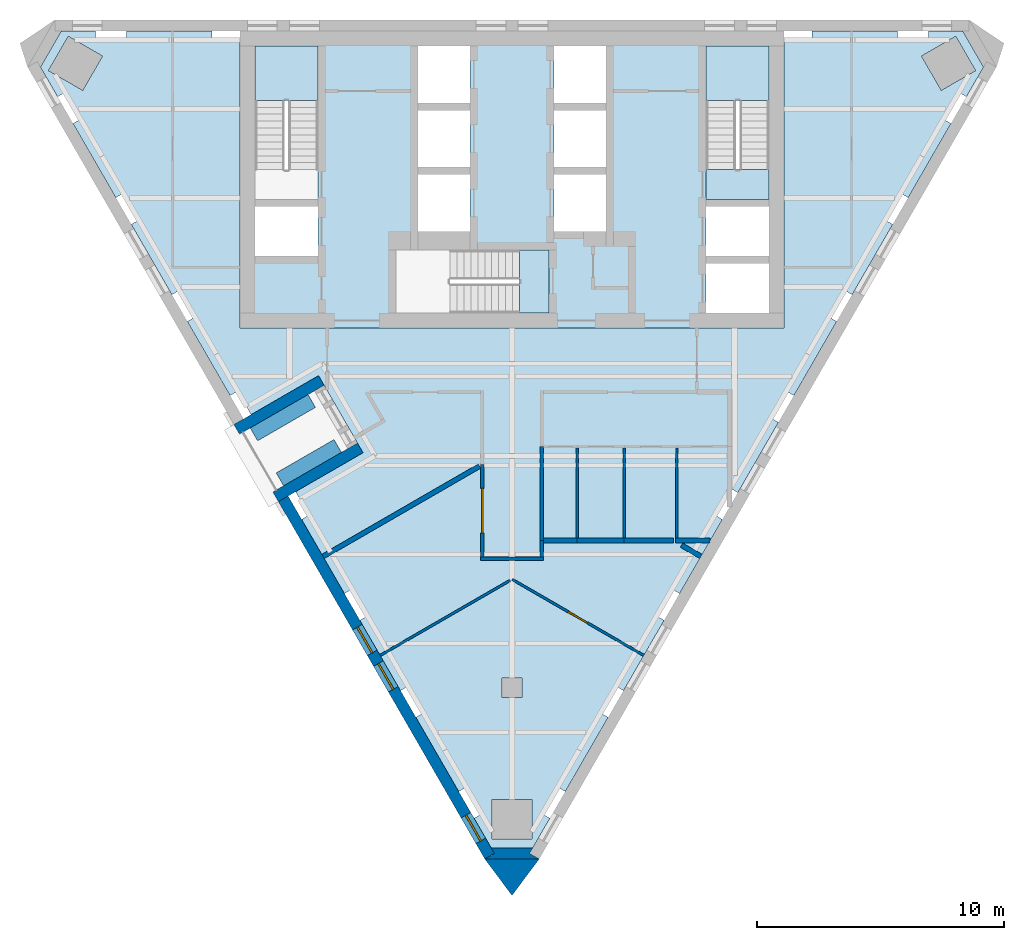
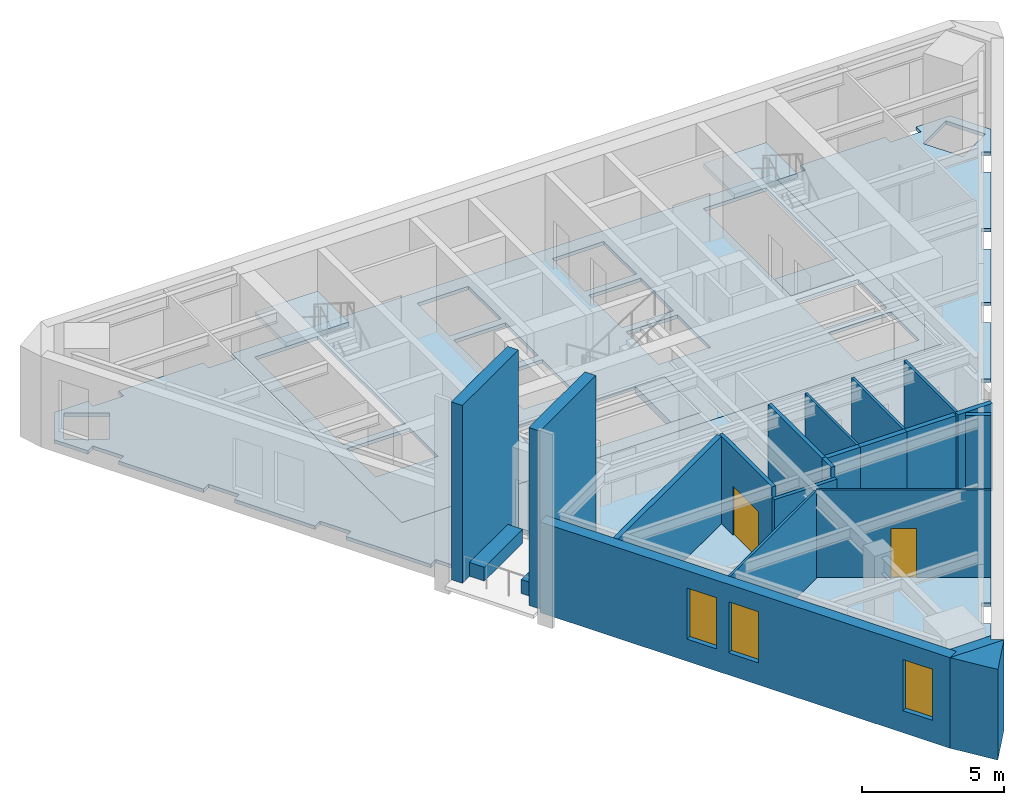
# One storey, part 2 of 7: 22 walls, 6 slabs, 3 windows, 2 doors, 5 openings, 2 elements without a shape of their own.
"""IFC4 building model written with IfcOpenShell, lengths in metres."""

from ifc_helpers import new_model, si_unit, direction, frame, frame_2d, origin, place, context, subcontext, project, spatial, polyline, rectangle, outline, extrude, material, layer, layer_set, type_object, element, fill, aggregate, save


model = new_model("IFC4")

# Units and contexts
model_context = context("Model", 3, precision=1e-05, world=origin(), true_north=direction((0.0, 1.0)))
body_context = subcontext(model_context, "Body", "Model", "MODEL_VIEW")
ifc_project = project(units=[si_unit("LENGTHUNIT", "METRE"), si_unit("AREAUNIT", "SQUARE_METRE"), si_unit("VOLUMEUNIT", "CUBIC_METRE"), si_unit("PLANEANGLEUNIT", "RADIAN"), si_unit("MASSUNIT", "GRAM", prefix="KILO")], contexts=[model_context])

# Site, building, storey
site_placement = place(None, origin())
site = spatial("IfcSite", under=ifc_project, at=site_placement, CompositionType="ELEMENT")
building_placement = place(site_placement, origin())
building = spatial("IfcBuilding", under=site, at=building_placement, Name="Aloe Facet Convention Tower", CompositionType="ELEMENT")
storey_placement = place(building_placement, frame((0.0, 0.0, 258.199951171875)))
storey = spatial("IfcBuildingStorey", under=building, at=storey_placement, Name="L63", CompositionType="ELEMENT", Elevation=258.199951171875)

# Slabs
ifc_material_1 = material(Name="Concrete C50/60", Category="concrete")
ifc_layer_1 = layer(ifc_material_1, 0.14990234375)
ifc_layer_set_1 = layer_set([ifc_layer_1], Name="CR-S-FLOOR150-C5060")
slab_type_1 = type_object("IfcSlabType", Name="CR-S-FLOOR150-C5060", PredefinedType="FLOOR", material=ifc_layer_set_1)
slab_1_placement = place(storey_placement, frame((0.0, 0.0, -0.14990234375)))
element("IfcSlab", 1, at=slab_1_placement, inside=storey, type_object=slab_type_1, Name="Core floor L63", PredefinedType="FLOOR", context=body_context, shape_type="SweptSolid", body=[
    extrude(outline(polyline([(71.85009765625, 134.550048828125), (72.75, 134.550048828125), (75.60009765625, 134.550048828125), (76.5, 134.550048828125), (78.0, 134.550048828125), (78.89990234375, 134.550048828125), (81.10009765625, 134.550048828125), (82.0, 134.550048828125), (83.5, 134.550048828125), (84.39990234375, 134.550048828125), (87.25, 134.550048828125), (88.14990234375, 134.550048828125), (91.0, 134.550048828125), (91.0, 128.050048828125), (91.0, 127.14990234375), (91.0, 125.75), (91.0, 124.85009765625), (91.0, 122.550048828125), (88.14990234375, 122.550048828125), (87.25, 122.550048828125), (85.300048828125, 122.550048828125), (84.39990234375, 122.550048828125), (82.10009765625, 122.550048828125), (81.199951171875, 122.550048828125), (75.60009765625, 122.550048828125), (74.699951171875, 122.550048828125), (72.75, 122.550048828125), (71.85009765625, 122.550048828125), (69.0, 122.550048828125), (69.0, 124.85009765625), (69.0, 125.75), (69.0, 127.14990234375), (69.0, 128.050048828125), (69.0, 134.550048828125), (71.85009765625, 134.550048828125)]), holes=[polyline([(80.298828125, 123.14990234375), (81.5, 123.14990234375), (81.5, 125.699951171875), (80.298828125, 125.699951171875), (75.300048828125, 125.699951171875), (75.300048828125, 123.14990234375), (80.298828125, 123.14990234375)]), polyline([(69.60009765625, 125.449951171875), (72.14990234375, 125.449951171875), (72.14990234375, 127.449951171875), (69.60009765625, 127.449951171875), (69.60009765625, 125.449951171875)]), polyline([(76.199951171875, 126.449951171875), (78.300048828125, 126.449951171875), (78.300048828125, 128.75), (76.199951171875, 128.75), (76.199951171875, 126.449951171875)]), polyline([(78.300048828125, 129.050048828125), (78.300048828125, 131.35009765625), (76.199951171875, 131.35009765625), (76.199951171875, 129.050048828125), (78.300048828125, 129.050048828125)]), polyline([(69.60009765625, 133.949951171875), (69.60009765625, 128.951171875), (69.60009765625, 127.75), (72.14990234375, 127.75), (72.14990234375, 128.951171875), (72.14990234375, 133.949951171875), (69.60009765625, 133.949951171875)]), polyline([(76.199951171875, 131.64990234375), (78.300048828125, 131.64990234375), (78.300048828125, 133.949951171875), (76.199951171875, 133.949951171875), (76.199951171875, 131.64990234375)]), polyline([(90.39990234375, 123.14990234375), (90.39990234375, 125.14990234375), (87.85009765625, 125.14990234375), (87.85009765625, 123.14990234375), (90.39990234375, 123.14990234375)]), polyline([(87.85009765625, 125.449951171875), (90.39990234375, 125.449951171875), (90.39990234375, 127.449951171875), (87.85009765625, 127.449951171875), (87.85009765625, 125.449951171875)]), polyline([(81.699951171875, 126.449951171875), (83.800048828125, 126.449951171875), (83.800048828125, 128.75), (81.699951171875, 128.75), (81.699951171875, 126.449951171875)]), polyline([(83.800048828125, 129.050048828125), (83.800048828125, 131.35009765625), (81.699951171875, 131.35009765625), (81.699951171875, 129.050048828125), (83.800048828125, 129.050048828125)]), polyline([(87.85009765625, 133.949951171875), (87.85009765625, 128.951171875), (87.85009765625, 127.75), (90.39990234375, 127.75), (90.39990234375, 128.951171875), (90.39990234375, 133.949951171875), (87.85009765625, 133.949951171875)]), polyline([(81.699951171875, 131.64990234375), (83.800048828125, 131.64990234375), (83.800048828125, 133.949951171875), (81.699951171875, 133.949951171875), (81.699951171875, 131.64990234375)])]), origin(), (0.0, 0.0, 1.0), 0.14990234375),
])
ifc_material_2 = material(Name="Concrete C50/60", Category="concrete")
ifc_layer_2 = layer(ifc_material_2, 0.300048828125)
ifc_layer_set_2 = layer_set([ifc_layer_2], Name="CR-S-FLOOR300-C5060")
slab_type_2 = type_object("IfcSlabType", Name="CR-S-FLOOR300-C5060", PredefinedType="FLOOR", material=ifc_layer_set_2)
slab_2_placement = place(storey_placement, frame((0.0, 0.0, -0.300048828125)))
element("IfcSlab", 2, at=slab_2_placement, inside=storey, type_object=slab_type_2, Name="Stair landing floor L63", PredefinedType="FLOOR", context=body_context, shape_type="SweptSolid", body=[
    extrude(outline(polyline([(90.39990234375, 127.75), (90.39990234375, 128.951171875), (87.85009765625, 128.951171875), (87.85009765625, 127.75), (90.39990234375, 127.75)])), origin(), (0.0, 0.0, 1.0), 0.300048828125),
])
slab_3_placement = place(storey_placement, frame((0.0, 0.0, -0.300048828125)))
element("IfcSlab", 3, at=slab_3_placement, inside=storey, type_object=slab_type_2, Name="Stair landing floor L63", PredefinedType="FLOOR", context=body_context, shape_type="SweptSolid", body=[
    extrude(outline(polyline([(81.5, 125.699951171875), (80.298828125, 125.699951171875), (80.298828125, 123.14990234375), (81.5, 123.14990234375), (81.5, 125.699951171875)])), origin(), (0.0, 0.0, 1.0), 0.300048828125),
])

# Stair, slab
ifc_material_3 = material(Name="Concrete C50/60", Category="concrete")
stair_type = type_object("IfcStairType", Name="CR-ST-22R", PredefinedType="HALF_TURN_STAIR", material=ifc_material_3)
stair_1_placement = place(storey_placement, origin())
stair_1 = element("IfcStair", 4, at=stair_1_placement, inside=storey, type_object=stair_type, Name="L63 Protected exit stair ST1", PredefinedType="HALF_TURN_STAIR")
ifc_material_4 = material(Name="Concrete C50/60", Category="concrete")
ifc_layer_3 = layer(ifc_material_4, 0.199951171875)
ifc_layer_set_3 = layer_set([ifc_layer_3], Name="CR-SL-LANDING")
slab_type_3 = type_object("IfcSlabType", Name="CR-SL-LANDING", PredefinedType="LANDING", material=ifc_layer_set_3)
slab_4_placement = place(storey_placement, frame((0.0, 0.0, 1.75)))
slab_4 = element("IfcSlab", 5, at=slab_4_placement, type_object=slab_type_3, Name="ST1 landing 1", PredefinedType="LANDING", context=body_context, shape_type="SweptSolid", body=[
    extrude(outline(polyline([(72.14990234375, 131.75), (72.14990234375, 133.949951171875), (69.60009765625, 133.949951171875), (69.60009765625, 131.75), (72.14990234375, 131.75)])), origin(), (0.0, 0.0, 1.0), 0.199951171875),
])
aggregate(stair_1, [slab_4])

stair_2_placement = place(storey_placement, origin())
stair_2 = element("IfcStair", 6, at=stair_2_placement, inside=storey, type_object=stair_type, Name="L63 Protected exit stair ST2", PredefinedType="HALF_TURN_STAIR")
slab_5_placement = place(storey_placement, frame((0.0, 0.0, 1.75)))
slab_5 = element("IfcSlab", 7, at=slab_5_placement, type_object=slab_type_3, Name="ST2 landing 1", PredefinedType="LANDING", context=body_context, shape_type="SweptSolid", body=[
    extrude(outline(polyline([(90.39990234375, 131.75), (90.39990234375, 133.949951171875), (87.85009765625, 133.949951171875), (87.85009765625, 131.75), (90.39990234375, 131.75)])), origin(), (0.0, 0.0, 1.0), 0.199951171875),
])
aggregate(stair_2, [slab_5])

# Slab
ifc_material_5 = material(Name="Concrete C35/45", Category="concrete")
ifc_layer_4 = layer(ifc_material_5, 0.14990234375)
ifc_layer_set_4 = layer_set([ifc_layer_4], Name="SF-FS-150")
slab_type_4 = type_object("IfcSlabType", Name="SF-FS-150", PredefinedType="FLOOR", material=ifc_layer_set_4)
slab_6_placement = place(storey_placement, frame((0.0, 0.0, -0.14990234375)))
element("IfcSlab", 8, at=slab_6_placement, inside=storey, type_object=slab_type_4, Name="Floor slab L63-1", PredefinedType="FLOOR", context=body_context, shape_type="SweptSolid", body=[
    extrude(outline(polyline([(61.773681640625, 134.550048828125), (63.154541015625, 134.550048828125), (63.154541015625, 134.199951171875), (64.40576171875, 134.199951171875), (64.40576171875, 134.550048828125), (67.864990234375, 134.550048828125), (67.864990234375, 134.199951171875), (69.0, 134.199951171875), (69.0, 128.050048828125), (69.0, 127.14990234375), (69.0, 125.75), (69.0, 124.85009765625), (69.0, 122.550048828125), (71.85009765625, 122.550048828125), (72.75, 122.550048828125), (74.699951171875, 122.550048828125), (75.60009765625, 122.550048828125), (81.199951171875, 122.550048828125), (82.10009765625, 122.550048828125), (84.39990234375, 122.550048828125), (85.300048828125, 122.550048828125), (87.25, 122.550048828125), (88.14990234375, 122.550048828125), (91.0, 122.550048828125), (91.0, 124.85009765625), (91.0, 125.75), (91.0, 127.14990234375), (91.0, 128.050048828125), (91.0, 134.199951171875), (92.135009765625, 134.199951171875), (92.135009765625, 134.550048828125), (95.59423828125, 134.550048828125), (95.59423828125, 134.199951171875), (96.845458984375, 134.199951171875), (96.845458984375, 134.550048828125), (98.226318359375, 134.550048828125), (99.06640625, 133.0947265625), (98.376220703125, 131.898681640625), (98.072998046875, 132.07373046875), (97.447509765625, 130.990234375), (97.75048828125, 130.815185546875), (96.02099609375, 127.819580078125), (95.7177734375, 127.994384765625), (95.09228515625, 126.910888671875), (95.395263671875, 126.73583984375), (93.75439453125, 123.89404296875), (93.451416015625, 124.069091796875), (92.82568359375, 122.985595703125), (93.12890625, 122.810546875), (91.3994140625, 119.814697265625), (91.09619140625, 119.98974609375), (90.470703125, 118.90625), (90.773681640625, 118.731201171875), (89.133056640625, 115.889404296875), (88.829833984375, 116.064453125), (88.204345703125, 114.980712890625), (88.50732421875, 114.805908203125), (86.77783203125, 111.81005859375), (86.474609375, 111.985107421875), (85.84912109375, 110.9013671875), (86.152099609375, 110.726318359375), (84.511474609375, 107.884521484375), (84.20849609375, 108.0595703125), (83.582763671875, 106.97607421875), (83.885986328125, 106.801025390625), (82.15625, 103.805419921875), (81.853271484375, 103.980224609375), (81.2275390625, 102.896728515625), (81.530517578125, 102.7216796875), (80.840087890625, 101.52587890625), (79.159912109375, 101.52587890625), (78.469482421875, 102.7216796875), (78.7724609375, 102.896728515625), (78.146728515625, 103.980224609375), (77.84375, 103.805419921875), (76.114013671875, 106.801025390625), (76.417236328125, 106.97607421875), (75.79150390625, 108.0595703125), (75.488525390625, 107.884521484375), (73.847900390625, 110.726318359375), (74.15087890625, 110.9013671875), (73.525390625, 111.985107421875), (73.22216796875, 111.81005859375), (71.49267578125, 114.805908203125), (71.795654296875, 114.980712890625), (71.249755859375, 115.926513671875), (73.977783203125, 117.50146484375), (72.177734375, 120.619140625), (69.44970703125, 119.044189453125), (68.90380859375, 119.98974609375), (68.6005859375, 119.814697265625), (66.87109375, 122.810546875), (67.17431640625, 122.985595703125), (66.548583984375, 124.069091796875), (66.24560546875, 123.89404296875), (64.604736328125, 126.73583984375), (64.90771484375, 126.910888671875), (64.2822265625, 127.994384765625), (63.97900390625, 127.819580078125), (62.24951171875, 130.815185546875), (62.552490234375, 130.990234375), (61.927001953125, 132.07373046875), (61.623779296875, 131.898681640625), (60.93359375, 133.0947265625), (61.773681640625, 134.550048828125)]), holes=[polyline([(80.800048828125, 101.875732421875), (80.800048828125, 103.475830078125), (79.199951171875, 103.475830078125), (79.199951171875, 101.875732421875), (80.800048828125, 101.875732421875)]), polyline([(62.056640625, 134.340087890625), (61.256591796875, 132.95458984375), (62.642333984375, 132.154541015625), (63.4423828125, 133.540283203125), (62.056640625, 134.340087890625)]), polyline([(80.39990234375, 107.60009765625), (80.39990234375, 108.39990234375), (79.60009765625, 108.39990234375), (79.60009765625, 107.60009765625), (80.39990234375, 107.60009765625)]), polyline([(98.743408203125, 132.95458984375), (97.943359375, 134.340087890625), (96.5576171875, 133.540283203125), (97.357666015625, 132.154541015625), (98.743408203125, 132.95458984375)])]), origin(), (0.0, 0.0, 1.0), 0.14990234375),
])

# Walls
ifc_material_6 = material(Name="Precast concrete C40/50", Category="concrete")
ifc_layer_5 = layer(ifc_material_6, 0.60009765625)
ifc_layer_set_5 = layer_set([ifc_layer_5], Name="EV-PLANTER")
wall_type_1 = type_object("IfcWallType", Name="EV-PLANTER", PredefinedType="STANDARD", material=ifc_layer_set_5)
wall_1_placement = place(storey_placement, frame((69.56494140625, 118.24462890625, 0.0), z_axis=(0.0, 0.0, 1.0), x_axis=(0.866059108428, 0.4999416173, 0.0)))
element("IfcWall", 9, at=wall_1_placement, inside=storey, type_object=wall_type_1, Name="PLANTER T14-1", PredefinedType="STANDARD", context=body_context, shape_type="SweptSolid", body=[
    extrude(rectangle(XDim=2.699951171875, YDim=0.60009765625, at=frame_2d((1.35009765625, 0.0))), origin(), (0.0, 0.0, 1.0), 0.60009765625),
])
wall_2_placement = place(storey_placement, frame((70.614990234375, 116.426025390625, 0.0), z_axis=(0.0, 0.0, 1.0), x_axis=(0.866036505625, 0.499980770555, 0.0)))
element("IfcWall", 10, at=wall_2_placement, inside=storey, type_object=wall_type_1, Name="PLANTER T14-2", PredefinedType="STANDARD", context=body_context, shape_type="SweptSolid", body=[
    extrude(rectangle(XDim=2.69970703125, YDim=0.60009765625, at=frame_2d((1.349853515625, 0.0))), origin(), (0.0, 0.0, 1.0), 0.60009765625),
])
ifc_material_7 = material(Name="Precast concrete C40/50", Category="concrete")
ifc_layer_6 = layer(ifc_material_7, 0.449951171875)
ifc_layer_set_6 = layer_set([ifc_layer_6], Name="EV-WALL-PIER")
wall_type_2 = type_object("IfcWallType", Name="EV-WALL-PIER", PredefinedType="SOLIDWALL", material=ifc_layer_set_6)
wall_3_placement = place(storey_placement, frame((0.0, 0.0, -0.14990234375)))
element("IfcWall", 11, at=wall_3_placement, inside=storey, type_object=wall_type_2, Name="EP-L63-B", PredefinedType="SOLIDWALL", context=body_context, shape_type="SweptSolid", body=[
    extrude(outline(polyline([(78.89990234375, 101.07568359375), (79.289794921875, 101.30078125), (79.159912109375, 101.52587890625), (80.840087890625, 101.52587890625), (80.710205078125, 101.30078125), (81.10009765625, 101.07568359375), (78.89990234375, 101.07568359375)])), origin(), (0.0, 0.0, 1.0), 3.89990234375),
])
ifc_material_8 = material(Name="Precast concrete C40/50", Category="concrete")
ifc_layer_7 = layer(ifc_material_8, 3.947998046875)
ifc_layer_set_7 = layer_set([ifc_layer_7], Name="EV-WALL-SPINE")
wall_type_3 = type_object("IfcWallType", Name="EV-WALL-SPINE", PredefinedType="SOLIDWALL", material=ifc_layer_set_7)
wall_4_placement = place(storey_placement, frame((0.0, 0.0, -0.14990234375)))
element("IfcWall", 12, at=wall_4_placement, inside=storey, type_object=wall_type_3, Name="SP-S-L63", PredefinedType="SOLIDWALL", context=body_context, shape_type="SweptSolid", body=[
    extrude(outline(polyline([(78.89990234375, 101.07568359375), (80.0, 99.599365234375), (81.10009765625, 101.07568359375), (78.89990234375, 101.07568359375)])), origin(), (0.0, 0.0, 1.0), 3.89990234375),
])

# Wall, openings, windows
ifc_material_9 = material(Name="Precast concrete C40/50", Category="concrete")
ifc_layer_8 = layer(ifc_material_9, 0.449951171875)
ifc_layer_set_8 = layer_set([ifc_layer_8], Name="EV-WALL-STONE")
wall_type_4 = type_object("IfcWallType", Name="EV-WALL-STONE", PredefinedType="SOLIDWALL", material=ifc_layer_set_8)
wall_5_placement = place(storey_placement, frame((70.751708984375, 115.638916015625, -0.14990234375), z_axis=(0.0, 0.0, 1.0), x_axis=(0.500006996263, -0.866021364453, 0.0)))
wall_5 = element("IfcWall", 13, at=wall_5_placement, inside=storey, type_object=wall_type_4, Name="EW-L63-W02", PredefinedType="SOLIDWALL", context=body_context, shape_type="SweptSolid", body=[
    extrude(outline(polyline([(16.68603515625, 3.89990234375), (16.68603515625, 0.0), (0.0, 0.0), (0.0, 3.89990234375), (16.68603515625, 3.89990234375)])), frame((0.0, 0.22509765625, 0.0), z_axis=(0.0, -1.0, 0.0), x_axis=(1.0, 0.0, 0.0)), (0.0, 0.0, 1.0), 0.449951171875),
])
opening_1_placement = place(wall_5_placement, frame((5.9931640625, 0.0, 0.949951171875)))
opening_1 = element("IfcOpeningElement", 14, at=opening_1_placement, cuts=wall_5, Name="Opening W-L63-W04", PredefinedType="OPENING", context=body_context, shape_type="SweptSolid", body=[
    extrude(rectangle(XDim=1.199951171875, YDim=2.199951171875, at=frame_2d((0.60009765625, 1.10009765625))), frame((0.0, 0.23486328125, 0.0), z_axis=(0.0, -1.0, 0.0), x_axis=(1.0, 0.0, 0.0)), (0.0, 0.0, 1.0), 0.469970703125),
])
opening_2_placement = place(wall_5_placement, frame((7.693115234375, 0.0, 0.949951171875)))
opening_2 = element("IfcOpeningElement", 15, at=opening_2_placement, cuts=wall_5, Name="Opening W-L63-W05", PredefinedType="OPENING", context=body_context, shape_type="SweptSolid", body=[
    extrude(rectangle(XDim=1.199951171875, YDim=2.199951171875, at=frame_2d((0.60009765625, 1.10009765625))), frame((0.0, 0.23486328125, 0.0), z_axis=(0.0, -1.0, 0.0), x_axis=(1.0, 0.0, 0.0)), (0.0, 0.0, 1.0), 0.469970703125),
])
opening_3_placement = place(wall_5_placement, frame((14.771484375, 0.0, 0.949951171875)))
opening_3 = element("IfcOpeningElement", 16, at=opening_3_placement, cuts=wall_5, Name="Opening W-L63-W06", PredefinedType="OPENING", context=body_context, shape_type="SweptSolid", body=[
    extrude(rectangle(XDim=1.199951171875, YDim=2.199951171875, at=frame_2d((0.60009765625, 1.10009765625))), frame((0.0, 0.23486328125, 0.0), z_axis=(0.0, -1.0, 0.0), x_axis=(1.0, 0.0, 0.0)), (0.0, 0.0, 1.0), 0.469970703125),
])
ifc_material_10 = material(Name="Aluminium frame, clear double glazing", Category="aluminium")
window_type = type_object("IfcWindowType", Name="EV-WIN-O12", PartitioningType="SINGLE_PANEL", PredefinedType="WINDOW", material=ifc_material_10)
window_1_placement = place(opening_1_placement, origin())
window_1 = element("IfcWindow", 17, at=window_1_placement, inside=storey, type_object=window_type, Name="W-L63-W04", OverallHeight=2.199951171875, OverallWidth=1.199951171875, PartitioningType="SINGLE_PANEL", PredefinedType="WINDOW", context=body_context, shape_type="SweptSolid", body=[
    extrude(rectangle(XDim=1.199951171875, YDim=2.199951171875, at=frame_2d((0.60009765625, 1.10009765625))), frame((0.0, 0.030029296875, 0.0), z_axis=(0.0, -1.0, 0.0), x_axis=(1.0, 0.0, 0.0)), (0.0, 0.0, 1.0), 0.06005859375),
])
fill(opening_1, window_1)
window_2_placement = place(opening_2_placement, origin())
window_2 = element("IfcWindow", 18, at=window_2_placement, inside=storey, type_object=window_type, Name="W-L63-W05", OverallHeight=2.199951171875, OverallWidth=1.199951171875, PartitioningType="SINGLE_PANEL", PredefinedType="WINDOW", context=body_context, shape_type="SweptSolid", body=[
    extrude(rectangle(XDim=1.199951171875, YDim=2.199951171875, at=frame_2d((0.60009765625, 1.10009765625))), frame((0.0, 0.030029296875, 0.0), z_axis=(0.0, -1.0, 0.0), x_axis=(1.0, 0.0, 0.0)), (0.0, 0.0, 1.0), 0.06005859375),
])
fill(opening_2, window_2)
window_3_placement = place(opening_3_placement, origin())
window_3 = element("IfcWindow", 19, at=window_3_placement, inside=storey, type_object=window_type, Name="W-L63-W06", OverallHeight=2.199951171875, OverallWidth=1.199951171875, PartitioningType="SINGLE_PANEL", PredefinedType="WINDOW", context=body_context, shape_type="SweptSolid", body=[
    extrude(rectangle(XDim=1.199951171875, YDim=2.199951171875, at=frame_2d((0.60009765625, 1.10009765625))), frame((0.0, 0.030029296875, 0.0), z_axis=(0.0, -1.0, 0.0), x_axis=(1.0, 0.0, 0.0)), (0.0, 0.0, 1.0), 0.06005859375),
])
fill(opening_3, window_3)

# Walls
for number, where, z_axis, x_axis, name in (
    (20, (68.869384765625, 118.44921875, 0.0), (0.0, 0.0, 1.0), (0.866020906874, 0.500007788796, 0.0), "TW-T14-1"),
    (21, (70.4443359375, 115.72119140625, 0.0), (0.0, 0.0, 1.0), (0.866020906874, 0.500007788796, 0.0), "TW-T14-2"),
):
    element("IfcWall", number, at=place(storey_placement, frame(where, z_axis=z_axis, x_axis=x_axis)), inside=storey, type_object=wall_type_4, Name=name, PredefinedType="SOLIDWALL", context=body_context, shape_type="SweptSolid", body=[
        extrude(rectangle(XDim=3.9501953125, YDim=0.449951171875, at=frame_2d((1.97509765625, 0.0))), origin(), (0.0, 0.0, 1.0), 7.650146484375),
    ])
ifc_material_11 = material(Name="Gypsum board partition on steel studs", Category="steel")
ifc_layer_9 = layer(ifc_material_11, 0.14990234375)
ifc_layer_set_9 = layer_set([ifc_layer_9], Name="IN-W-CORR")
wall_type_5 = type_object("IfcWallType", Name="IN-W-CORR", PredefinedType="PARTITIONING", material=ifc_layer_set_9)
wall_6_placement = place(storey_placement, frame((78.72509765625, 113.220458984375, 0.0), z_axis=(0.0, 0.0, 1.0), x_axis=(1.0, 0.0, 0.0)))
element("IfcWall", 22, at=wall_6_placement, inside=storey, type_object=wall_type_5, Name="Partition L63-W003", PredefinedType="PARTITIONING", context=body_context, shape_type="SweptSolid", body=[
    extrude(rectangle(XDim=2.5498046875, YDim=0.14990234375, at=frame_2d((1.27490234375, 0.0))), origin(), (0.0, 0.0, 1.0), 3.280029296875),
])
wall_7_placement = place(storey_placement, frame((81.199951171875, 113.29541015625, 0.0), z_axis=(0.0, 0.0, 1.0), x_axis=(0.0, 1.0, 0.0)))
element("IfcWall", 23, at=wall_7_placement, inside=storey, type_object=wall_type_5, Name="Partition L63-W004", PredefinedType="PARTITIONING", context=body_context, shape_type="SweptSolid", body=[
    extrude(rectangle(XDim=0.654541015625, YDim=0.14990234375, at=frame_2d((0.3271484375, 0.0))), origin(), (0.0, 0.0, 1.0), 3.75),
])

# Wall, opening, door
wall_8_placement = place(storey_placement, frame((78.800048828125, 113.29541015625, 0.0), z_axis=(0.0, 0.0, 1.0), x_axis=(0.0, 1.0, 0.0)))
wall_8 = element("IfcWall", 24, at=wall_8_placement, inside=storey, type_object=wall_type_5, Name="Partition L63-W014", PredefinedType="PARTITIONING", context=body_context, shape_type="SweptSolid", body=[
    extrude(rectangle(XDim=3.732177734375, YDim=0.14990234375, at=frame_2d((1.8662109375, 0.0))), origin(), (0.0, 0.0, 1.0), 3.75),
])
opening_4_placement = place(wall_8_placement, frame((0.966064453125, 0.0, 0.0)))
opening_4 = element("IfcOpeningElement", 25, at=opening_4_placement, cuts=wall_8, Name="Opening L63-012", PredefinedType="OPENING", context=body_context, shape_type="SweptSolid", body=[
    extrude(rectangle(XDim=1.800048828125, YDim=2.10009765625, at=frame_2d((0.89990234375, 1.050048828125))), frame((0.0, 0.0849609375, 0.0), z_axis=(0.0, -1.0, 0.0), x_axis=(1.0, 0.0, 0.0)), (0.0, 0.0, 1.0), 0.169921875),
])
ifc_material_12 = material(Name="Glazed timber door pair FD30S", Category="wood")
door_type_1 = type_object("IfcDoorType", Name="IN-OFF-D-SUITE", OperationType="DOUBLE_DOOR_SINGLE_SWING", PredefinedType="DOOR", material=ifc_material_12)
door_1_placement = place(opening_4_placement, origin())
door_1 = element("IfcDoor", 26, at=door_1_placement, inside=storey, type_object=door_type_1, Name="Door L63-012", OperationType="SINGLE_SWING_LEFT", OverallHeight=2.10009765625, OverallWidth=1.800048828125, PredefinedType="DOOR", context=body_context, shape_type="SweptSolid", body=[
    extrude(rectangle(XDim=1.800048828125, YDim=2.10009765625, at=frame_2d((0.89990234375, 1.050048828125))), frame((0.0, 0.02490234375, 0.0), z_axis=(0.0, -1.0, 0.0), x_axis=(1.0, 0.0, 0.0)), (0.0, 0.0, 1.0), 0.050048828125),
])
fill(opening_4, door_1)

# Wall
wall_9_placement = place(storey_placement, frame((81.199951171875, 113.949951171875, 0.0), z_axis=(0.0, 0.0, 1.0), x_axis=(0.0, 1.0, 0.0)))
element("IfcWall", 27, at=wall_9_placement, inside=storey, type_object=wall_type_5, Name="Partition L63-W023", PredefinedType="PARTITIONING", context=body_context, shape_type="SweptSolid", body=[
    extrude(rectangle(XDim=3.800048828125, YDim=0.14990234375, at=frame_2d((1.89990234375, 0.0))), origin(), (0.0, 0.0, 1.0), 3.75),
])

# Wall, opening, door
ifc_material_13 = material(Name="Gypsum board partition on steel studs", Category="steel")
ifc_layer_10 = layer(ifc_material_13, 0.10009765625)
ifc_layer_set_10 = layer_set([ifc_layer_10], Name="IN-W-PART")
wall_type_6 = type_object("IfcWallType", Name="IN-W-PART", PredefinedType="PARTITIONING", material=ifc_layer_set_10)
wall_10_placement = place(storey_placement, frame((80.0, 112.3837890625, 0.0), z_axis=(0.0, 0.0, 1.0), x_axis=(0.866021154418, -0.500007360046, 0.0)))
wall_10 = element("IfcWall", 28, at=wall_10_placement, inside=storey, type_object=wall_type_6, Name="Partition L63-W001", PredefinedType="PARTITIONING", context=body_context, shape_type="SweptSolid", body=[
    extrude(rectangle(XDim=6.15673828125, YDim=0.10009765625, at=frame_2d((3.078369140625, 0.0))), origin(), (0.0, 0.0, 1.0), 3.75),
])
opening_5_placement = place(wall_10_placement, frame((2.62841796875, 0.0, 0.0)))
opening_5 = element("IfcOpeningElement", 29, at=opening_5_placement, cuts=wall_10, Name="Opening L63-011", PredefinedType="OPENING", context=body_context, shape_type="SweptSolid", body=[
    extrude(rectangle(XDim=0.89990234375, YDim=2.10009765625, at=frame_2d((0.449951171875, 1.050048828125))), frame((0.0, 0.06005859375, 0.0), z_axis=(0.0, -1.0, 0.0), x_axis=(1.0, 0.0, 0.0)), (0.0, 0.0, 1.0), 0.1201171875),
])
ifc_material_14 = material(Name="Timber door", Category="wood")
door_type_2 = type_object("IfcDoorType", Name="IN-OFF-D-ROOM", OperationType="SINGLE_SWING_LEFT", PredefinedType="DOOR", material=ifc_material_14)
door_2_placement = place(opening_5_placement, origin())
door_2 = element("IfcDoor", 30, at=door_2_placement, inside=storey, type_object=door_type_2, Name="Door L63-011", OperationType="SINGLE_SWING_LEFT", OverallHeight=2.10009765625, OverallWidth=0.89990234375, PredefinedType="DOOR", context=body_context, shape_type="SweptSolid", body=[
    extrude(rectangle(XDim=0.89990234375, YDim=2.10009765625, at=frame_2d((0.449951171875, 1.050048828125))), frame((0.0, 0.02490234375, 0.0), z_axis=(0.0, -1.0, 0.0), x_axis=(1.0, 0.0, 0.0)), (0.0, 0.0, 1.0), 0.050048828125),
])
fill(opening_5, door_2)

# Walls
wall_11_placement = place(storey_placement, frame((74.668212890625, 109.305419921875, 0.0), z_axis=(0.0, 0.0, 1.0), x_axis=(0.866016800201, 0.500014901547, 0.0)))
element("IfcWall", 31, at=wall_11_placement, inside=storey, type_object=wall_type_6, Name="Partition L63-W002", PredefinedType="PARTITIONING", context=body_context, shape_type="SweptSolid", body=[
    extrude(rectangle(XDim=6.070068359375, YDim=0.10009765625, at=frame_2d((3.03515625, 0.0))), origin(), (0.0, 0.0, 1.0), 3.75),
])
for number, where, z_axis, x_axis, name in (
    (32, (82.63427734375, 114.050048828125, 0.0), (0.0, 0.0, 1.0), (0.002608686776, 0.999996597371, 0.0), "Partition L63-W016"),
    (33, (84.5341796875, 114.050048828125, 0.0), (0.0, 0.0, 1.0), (0.002675575707, 0.999996420641, 0.0), "Partition L63-W018"),
    (34, (86.662353515625, 114.050048828125, 0.0), (0.0, 0.0, 1.0), (0.002608686776, 0.999996597371, 0.0), "Partition L63-W020"),
):
    element("IfcWall", number, at=place(storey_placement, frame(where, z_axis=z_axis, x_axis=x_axis)), inside=storey, type_object=wall_type_6, Name=name, PredefinedType="PARTITIONING", context=body_context, shape_type="SweptSolid", body=[
        extrude(rectangle(XDim=3.64990234375, YDim=0.10009765625, at=frame_2d((1.824951171875, 0.0))), origin(), (0.0, 0.0, 1.0), 3.75),
    ])
ifc_material_15 = material(Name="Gypsum board partition on steel studs", Category="steel")
ifc_layer_11 = layer(ifc_material_15, 0.199951171875)
ifc_layer_set_11 = layer_set([ifc_layer_11], Name="IN-W-PARTY")
wall_type_7 = type_object("IfcWallType", Name="IN-W-PARTY", PredefinedType="PARTITIONING", material=ifc_layer_set_11)
wall_12_placement = place(storey_placement, frame((72.357421875, 113.307861328125, 0.0), z_axis=(0.0, 0.0, 1.0), x_axis=(0.866016048378, 0.500016203689, 0.0)))
element("IfcWall", 35, at=wall_12_placement, inside=storey, type_object=wall_type_7, Name="Partition L63-W005", PredefinedType="PARTITIONING", context=body_context, shape_type="SweptSolid", body=[
    extrude(rectangle(XDim=7.314208984375, YDim=0.199951171875, at=frame_2d((3.6572265625, 0.0))), origin(), (0.0, 0.0, 1.0), 3.75),
])
wall_13_placement = place(storey_placement, frame((81.27490234375, 113.949951171875, 0.0), z_axis=(0.0, 0.0, 1.0), x_axis=(1.0, 0.0, 0.0)))
element("IfcWall", 36, at=wall_13_placement, inside=storey, type_object=wall_type_7, Name="Partition L63-W006", PredefinedType="PARTITIONING", context=body_context, shape_type="SweptSolid", body=[
    extrude(rectangle(XDim=1.359130859375, YDim=0.199951171875, at=frame_2d((0.6796875, 0.0))), origin(), (0.0, 0.0, 1.0), 3.75),
])
wall_14_placement = place(storey_placement, frame((82.634033203125, 113.949951171875, 0.0), z_axis=(0.0, 0.0, 1.0), x_axis=(1.0, 0.0, 0.0)))
element("IfcWall", 37, at=wall_14_placement, inside=storey, type_object=wall_type_7, Name="Partition L63-W007", PredefinedType="PARTITIONING", context=body_context, shape_type="SweptSolid", body=[
    extrude(rectangle(XDim=1.89990234375, YDim=0.199951171875, at=frame_2d((0.949951171875, 0.0))), origin(), (0.0, 0.0, 1.0), 3.75),
])
wall_15_placement = place(storey_placement, frame((84.533935546875, 113.949951171875, 0.0), z_axis=(0.0, 0.0, 1.0), x_axis=(1.0, 0.0, 0.0)))
element("IfcWall", 38, at=wall_15_placement, inside=storey, type_object=wall_type_7, Name="Partition L63-W008", PredefinedType="PARTITIONING", context=body_context, shape_type="SweptSolid", body=[
    extrude(rectangle(XDim=1.99658203125, YDim=0.199951171875, at=frame_2d((0.998291015625, 0.0))), origin(), (0.0, 0.0, 1.0), 3.75),
])
wall_16_placement = place(storey_placement, frame((86.853759765625, 113.763427734375, 0.0), z_axis=(0.0, 0.0, 1.0), x_axis=(0.865957935948, -0.500116839517, 0.0)))
element("IfcWall", 39, at=wall_16_placement, inside=storey, type_object=wall_type_7, Name="Partition L63-W009", PredefinedType="PARTITIONING", context=body_context, shape_type="SweptSolid", body=[
    extrude(rectangle(XDim=0.910888671875, YDim=0.199951171875, at=frame_2d((0.45556640625, 0.0))), origin(), (0.0, 0.0, 1.0), 3.75),
])
wall_17_placement = place(storey_placement, frame((86.612060546875, 113.949951171875, 0.0), z_axis=(0.0, 0.0, 1.0), x_axis=(1.0, 0.0, 0.0)))
element("IfcWall", 40, at=wall_17_placement, inside=storey, type_object=wall_type_7, Name="Partition L63-W011", PredefinedType="PARTITIONING", context=body_context, shape_type="SweptSolid", body=[
    extrude(rectangle(XDim=1.4013671875, YDim=0.199951171875, at=frame_2d((0.70068359375, 0.0))), origin(), (0.0, 0.0, 1.0), 3.75),
])

save(model, "model.ifc")
